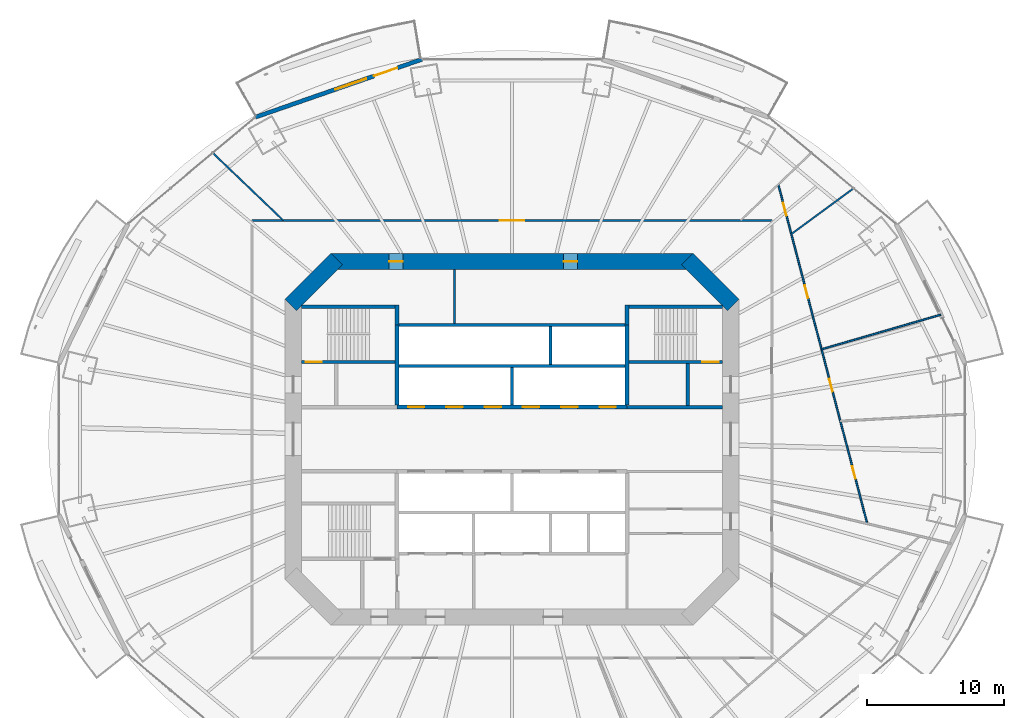
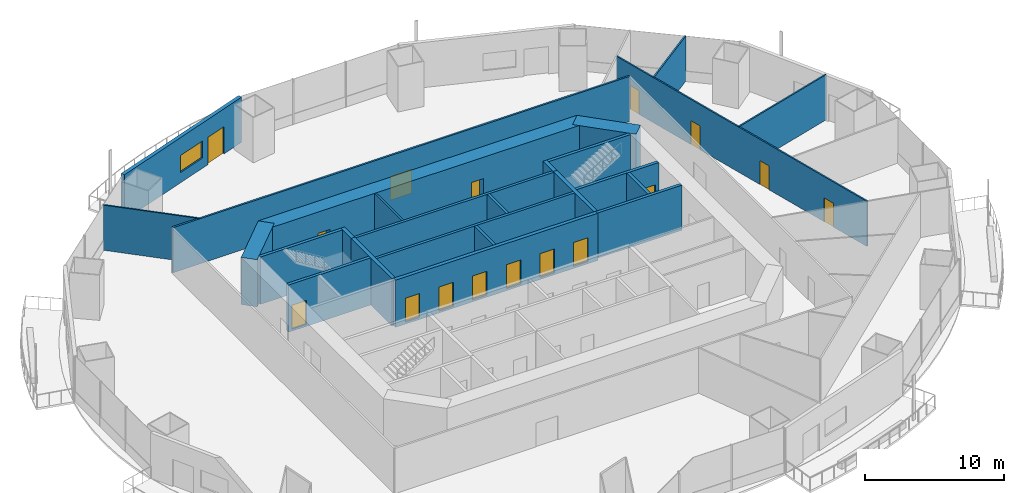
# One storey, part 15 of 21: 25 walls, 16 doors, 1 window, 17 openings.
"""IFC4 building model written with IfcOpenShell, lengths in metres."""

import ifcopenshell
import ifcopenshell.guid

model = None  # the IFC model being written
_history = None  # IfcOwnerHistory: only IFC2X3 demands one
_inside = {}  # id of a spatial element -> (the spatial element, [elements in it])
_under = {}  # id of a project, library or spatial element -> (it, [spatial elements below it])
_declared = {}  # id of a project -> (the project, [libraries it declares])
_typed = {}  # id of a type object -> (the type object, [elements of that type])
_made_of = {}  # id of a material, layer set ... -> (it, [elements and type objects made of it])


def new_model(schema):
    """Start an empty IFC model of exactly this schema.

    Asked for "IFC4X3", IfcOpenShell would pick the latest addendum, in which some entities
    have other attributes; the version numbers below select the first issue.
    IFC2X3 requires an IfcOwnerHistory on every rooted entity: one is made here for all.
    """
    global model, _history
    if schema == "IFC4X3":
        model = ifcopenshell.file(schema_version=(4, 3, 0, 0))
    else:
        model = ifcopenshell.file(schema=schema)
    _inside.clear()
    _under.clear()
    _declared.clear()
    _typed.clear()
    _made_of.clear()
    _history = None
    if model.schema == "IFC2X3":
        org = make("IfcOrganization", Name="unknown")
        user = make(
            "IfcPersonAndOrganization",
            ThePerson=make("IfcPerson", FamilyName="unknown"),
            TheOrganization=org,
        )
        app = make(
            "IfcApplication",
            ApplicationDeveloper=org,
            Version="unknown",
            ApplicationFullName="unknown",
            ApplicationIdentifier="unknown",
        )
        _history = make(
            "IfcOwnerHistory",
            OwningUser=user,
            OwningApplication=app,
            ChangeAction="ADDED",
            CreationDate=0,
        )
    return model


def make(cls, **values):
    """One entity of the class cls with the attributes given. An attribute that is None is left unset."""
    return model.create_entity(
        cls, **{name: value for name, value in values.items() if value is not None}
    )


def rooted(cls, **values):
    """An entity with a GlobalId (a new one), such as an element, a storey or a relation."""
    return make(cls, GlobalId=ifcopenshell.guid.new(), OwnerHistory=_history, **values)


def si_unit(unit_type, name, prefix=None):
    """IfcSIUnit, for example si_unit("LENGTHUNIT", "METRE", prefix="MILLI")."""
    return make("IfcSIUnit", UnitType=unit_type, Prefix=prefix, Name=name)


def assignment(units):
    """IfcUnitAssignment: the units of a project."""
    return None if units is None else make("IfcUnitAssignment", Units=units)


def point(xyz):
    """IfcCartesianPoint."""
    return None if xyz is None else make("IfcCartesianPoint", Coordinates=xyz)


def direction(xyz):
    """IfcDirection."""
    return None if xyz is None else make("IfcDirection", DirectionRatios=xyz)


def frame(location, z_axis=None, x_axis=None):
    """IfcAxis2Placement3D, a coordinate frame: its origin and axes. An axis left out is left unset."""
    return make(
        "IfcAxis2Placement3D",
        Location=point(location),
        Axis=direction(z_axis),
        RefDirection=direction(x_axis),
    )


def frame_2d(location, x_axis=None):
    """IfcAxis2Placement2D, a coordinate frame in the plane: its origin and x axis."""
    return make(
        "IfcAxis2Placement2D", Location=point(location), RefDirection=direction(x_axis)
    )


def origin():
    """The frame at (0, 0, 0) with its axes left unset."""
    return frame((0.0, 0.0, 0.0))


def place(relative_to, where):
    """IfcLocalPlacement: puts the frame where relative to a parent placement (None: the world)."""
    return make(
        "IfcLocalPlacement", PlacementRelTo=relative_to, RelativePlacement=where
    )


def context(
    kind, dimensions, precision=None, world=None, true_north=None, identifier=None
):
    """IfcGeometricRepresentationContext, for example the 3D "Model" context."""
    return make(
        "IfcGeometricRepresentationContext",
        ContextIdentifier=identifier,
        ContextType=kind,
        CoordinateSpaceDimension=dimensions,
        Precision=precision,
        WorldCoordinateSystem=world,
        TrueNorth=true_north,
    )


def subcontext(parent, identifier, kind, view, scale=None):
    """IfcGeometricRepresentationSubContext, for example "Body" below "Model"."""
    return make(
        "IfcGeometricRepresentationSubContext",
        ContextIdentifier=identifier,
        ContextType=kind,
        ParentContext=parent,
        TargetScale=scale,
        TargetView=view,
    )


def project(units=None, contexts=None):
    """IfcProject with its units and contexts."""
    return rooted(
        "IfcProject",
        Name="project",
        RepresentationContexts=contexts,
        UnitsInContext=assignment(units),
    )


def spatial(cls, under=None, at=None, **own):
    """A site, building, storey or space (cls), placed at a placement, below another one or the project."""
    s = rooted(cls, ObjectPlacement=at, **own)
    if under is not None:
        _under.setdefault(under.id(), (under, []))[1].append(s)
    return s


def profile(cls, at=None, kind="AREA", **sizes):
    """A parametric profile (cls). Its sizes go by their IFC names, for example OverallWidth=200.0."""
    return make(cls, ProfileType=kind, Position=at, **sizes)


def rectangle(**sizes):
    """IfcRectangleProfileDef."""
    return profile("IfcRectangleProfileDef", **sizes)


def extrude(swept, where, along, depth):
    """IfcExtrudedAreaSolid: the profile swept, set in the frame where, extruded along a direction by depth."""
    return make(
        "IfcExtrudedAreaSolid",
        SweptArea=swept,
        Position=where,
        ExtrudedDirection=direction(along),
        Depth=depth,
    )


def shape(context_of_items, identifier, shape_type, items):
    """IfcShapeRepresentation: the items that make up one representation, for example the "Body"."""
    return make(
        "IfcShapeRepresentation",
        ContextOfItems=context_of_items,
        RepresentationIdentifier=identifier,
        RepresentationType=shape_type,
        Items=items,
    )


def material(Name=None, Category=None):
    """IfcMaterial."""
    return make("IfcMaterial", Name=Name, Category=Category)


def layer(
    of_material, thickness, ventilated=None, Name=None, Category=None, Priority=None
):
    """IfcMaterialLayer: one layer of a wall or slab, of a material (None: an air gap)."""
    return make(
        "IfcMaterialLayer",
        Material=of_material,
        LayerThickness=thickness,
        IsVentilated=ventilated,
        Name=Name,
        Category=Category,
        Priority=Priority,
    )


def layer_set(layers, Name=None):
    """IfcMaterialLayerSet."""
    return make("IfcMaterialLayerSet", MaterialLayers=layers, LayerSetName=Name)


def made_of(thing, what):
    """Note that an element or type object is made of a material, layer set ...; save() writes the relation."""
    if what is not None:
        _made_of.setdefault(what.id(), (what, []))[1].append(thing)
    return thing


def type_object(cls, material=None, **own):
    """A type object (cls), such as IfcWallType, which elements share."""
    return made_of(rooted(cls, **own), material)


def element(
    cls,
    number,
    at=None,
    inside=None,
    cuts=None,
    type_object=None,
    material=None,
    context=None,
    identifier="Body",
    shape_type=None,
    held_by="IfcProductDefinitionShape",
    body=None,
    shapes=None,
    **own,
):
    """One element of the class cls, such as IfcWall. Its Tag is "e" and its number.

    at: its placement. inside: the storey or other place that contains it. cuts: it is an
    opening in that element (IfcRelVoidsElement). A single representation is given by context,
    identifier, shape_type and body (its items); several are given by shapes. held_by: the class
    of the entity that holds the representations. save() writes the other relations.
    """
    e = rooted(cls, Tag="e%d" % number, ObjectPlacement=at, **own)
    if body is not None:
        shapes = [shape(context, identifier, shape_type, body)]
    if shapes is not None:
        e.Representation = make(held_by, Representations=shapes)
    if inside is not None:
        _inside.setdefault(inside.id(), (inside, []))[1].append(e)
    if cuts is not None:
        rooted(
            "IfcRelVoidsElement", RelatingBuildingElement=cuts, RelatedOpeningElement=e
        )
    if type_object is not None:
        _typed.setdefault(type_object.id(), (type_object, []))[1].append(e)
    return made_of(e, material)


def fill(opening, filler):
    """IfcRelFillsElement: the door or window that sits in an opening."""
    return rooted(
        "IfcRelFillsElement",
        RelatingOpeningElement=opening,
        RelatedBuildingElement=filler,
    )


def aggregate(whole, parts):
    """IfcRelAggregates: a whole, such as a stair, and the parts it consists of."""
    return rooted("IfcRelAggregates", RelatingObject=whole, RelatedObjects=parts)


def save(model, path):
    """Write the relations noted so far, then the file.

    IfcRelAggregates (storeys below a building ...), IfcRelContainedInSpatialStructure (elements
    in a storey), IfcRelDefinesByType, IfcRelAssociatesMaterial and IfcRelDeclares: one each for
    every whole, place, type object, material and project.
    """
    for whole, parts in _under.values():
        aggregate(whole, parts)
    for where, things in _inside.values():
        rooted(
            "IfcRelContainedInSpatialStructure",
            RelatedElements=things,
            RelatingStructure=where,
        )
    for kind, things in _typed.values():
        rooted("IfcRelDefinesByType", RelatedObjects=things, RelatingType=kind)
    for what, things in _made_of.values():
        rooted("IfcRelAssociatesMaterial", RelatedObjects=things, RelatingMaterial=what)
    for by, libraries in _declared.values():
        rooted("IfcRelDeclares", RelatingContext=by, RelatedDefinitions=libraries)
    model.write(path)


model = new_model("IFC4")

# Units and contexts
model_context = context("Model", 3, precision=1e-05, world=origin(), true_north=direction((0.0, 1.0)))
body_context = subcontext(model_context, "Body", "Model", "MODEL_VIEW")
ifc_project = project(units=[si_unit("LENGTHUNIT", "METRE"), si_unit("AREAUNIT", "SQUARE_METRE"), si_unit("VOLUMEUNIT", "CUBIC_METRE"), si_unit("PLANEANGLEUNIT", "RADIAN"), si_unit("MASSUNIT", "GRAM", prefix="KILO")], contexts=[model_context])

# Site, building, storey
site_placement = place(None, origin())
site = spatial("IfcSite", under=ifc_project, at=site_placement, CompositionType="ELEMENT")
building_placement = place(site_placement, origin())
building = spatial("IfcBuilding", under=site, at=building_placement, Name="Marenthal Gate Tower", CompositionType="ELEMENT")
storey_placement = place(building_placement, frame((0.0, 0.0, 128.449951171875)))
storey = spatial("IfcBuildingStorey", under=building, at=storey_placement, Name="L27", CompositionType="ELEMENT", Elevation=128.449951171875)

# Wall
ifc_material_1 = material(Name="Concrete 60 MPa", Category="concrete")
ifc_layer_1 = layer(ifc_material_1, 1.199951171875)
ifc_layer_set_1 = layer_set([ifc_layer_1], Name="Core shear wall 1200")
wall_type_1 = type_object("IfcWallType", Name="Core shear wall 1200", PredefinedType="SHEAR", material=ifc_layer_set_1)
wall_1_placement = place(storey_placement, frame((16.17578125, 9.82421875, -0.179931640625), z_axis=(0.0, 0.0, 1.0), x_axis=(-0.707106781187, 0.707106781187, 0.0)))
element("IfcWall", 1, at=wall_1_placement, inside=storey, type_object=wall_type_1, Name="Core wall 03", PredefinedType="SHEAR", context=body_context, shape_type="SweptSolid", body=[
    extrude(rectangle(XDim=4.73974609375, YDim=1.199951171875, at=frame_2d((2.369873046875, 0.0))), origin(), (0.0, 0.0, 1.0), 4.14990234375),
])

# Wall, openings, doors
wall_2_placement = place(storey_placement, frame((13.24853515625, 13.0, -0.179931640625), z_axis=(0.0, 0.0, 1.0), x_axis=(-1.0, 0.0, 0.0)))
wall_2 = element("IfcWall", 2, at=wall_2_placement, inside=storey, type_object=wall_type_1, Name="Core wall 04", PredefinedType="SHEAR", context=body_context, shape_type="SweptSolid", body=[
    extrude(rectangle(XDim=26.4970703125, YDim=1.199951171875, at=frame_2d((13.24853515625, 0.0))), origin(), (0.0, 0.0, 1.0), 4.14990234375),
])
opening_1_placement = place(wall_2_placement, frame((21.224609375, 0.0, 0.179931640625)))
opening_1 = element("IfcOpeningElement", 3, at=opening_1_placement, cuts=wall_2, Name="Opening D005.01", PredefinedType="OPENING", context=body_context, shape_type="SweptSolid", body=[
    extrude(rectangle(XDim=1.0, YDim=2.10009765625, at=frame_2d((0.5, 1.050048828125))), frame((0.0, 0.60986328125, 0.0), z_axis=(0.0, -1.0, 0.0), x_axis=(1.0, 0.0, 0.0)), (0.0, 0.0, 1.0), 1.219970703125),
])
opening_2_placement = place(wall_2_placement, frame((8.472412109375, 0.0, 0.179931640625)))
opening_2 = element("IfcOpeningElement", 4, at=opening_2_placement, cuts=wall_2, Name="Opening D005.02", PredefinedType="OPENING", context=body_context, shape_type="SweptSolid", body=[
    extrude(rectangle(XDim=1.0, YDim=2.10009765625, at=frame_2d((0.5, 1.050048828125))), frame((0.0, 0.60986328125, 0.0), z_axis=(0.0, -1.0, 0.0), x_axis=(1.0, 0.0, 0.0)), (0.0, 0.0, 1.0), 1.219970703125),
])
ifc_material_2 = material(Name="Steel fire door", Category="steel")
door_type_1 = type_object("IfcDoorType", Name="Fire door FD 45 1000 x 2100", OperationType="NOTDEFINED", PredefinedType="DOOR", material=ifc_material_2)
door_1_placement = place(opening_1_placement, origin())
door_1 = element("IfcDoor", 5, at=door_1_placement, inside=storey, type_object=door_type_1, Name="Door D005.01", OperationType="SINGLE_SWING_RIGHT", OverallHeight=2.10009765625, OverallWidth=1.0, PredefinedType="DOOR", context=body_context, shape_type="SweptSolid", body=[
    extrude(rectangle(XDim=1.0, YDim=2.10009765625, at=frame_2d((0.5, 1.050048828125))), frame((0.0, 0.02490234375, 0.0), z_axis=(0.0, -1.0, 0.0), x_axis=(1.0, 0.0, 0.0)), (0.0, 0.0, 1.0), 0.050048828125),
])
fill(opening_1, door_1)
door_2_placement = place(opening_2_placement, origin())
door_2 = element("IfcDoor", 6, at=door_2_placement, inside=storey, type_object=door_type_1, Name="Door D005.02", OperationType="SINGLE_SWING_RIGHT", OverallHeight=2.10009765625, OverallWidth=1.0, PredefinedType="DOOR", context=body_context, shape_type="SweptSolid", body=[
    extrude(rectangle(XDim=1.0, YDim=2.10009765625, at=frame_2d((0.5, 1.050048828125))), frame((0.0, 0.02490234375, 0.0), z_axis=(0.0, -1.0, 0.0), x_axis=(1.0, 0.0, 0.0)), (0.0, 0.0, 1.0), 0.050048828125),
])
fill(opening_2, door_2)

# Wall
wall_3_placement = place(storey_placement, frame((-12.82421875, 13.17578125, -0.179931640625), z_axis=(0.0, 0.0, 1.0), x_axis=(-0.707106781187, -0.707106781187, 0.0)))
element("IfcWall", 7, at=wall_3_placement, inside=storey, type_object=wall_type_1, Name="Core wall 05", PredefinedType="SHEAR", context=body_context, shape_type="SweptSolid", body=[
    extrude(rectangle(XDim=4.73974609375, YDim=1.199951171875, at=frame_2d((2.369873046875, 0.0))), origin(), (0.0, 0.0, 1.0), 4.14990234375),
])

# Wall, openings, doors
ifc_material_3 = material(Name="Concrete 50 MPa", Category="concrete")
ifc_layer_2 = layer(ifc_material_3, 0.300048828125)
ifc_layer_set_2 = layer_set([ifc_layer_2], Name="Hoistway shear wall 300")
wall_type_2 = type_object("IfcWallType", Name="Hoistway shear wall 300", PredefinedType="SHEAR", material=ifc_layer_set_2)
wall_4_placement = place(storey_placement, frame((-8.39990234375, 2.35009765625, -0.179931640625), z_axis=(0.0, 0.0, 1.0), x_axis=(1.0, 0.0, 0.0)))
wall_4 = element("IfcWall", 8, at=wall_4_placement, inside=storey, type_object=wall_type_2, Name="Hoistway wall 20", PredefinedType="SHEAR", context=body_context, shape_type="SweptSolid", body=[
    extrude(rectangle(XDim=16.7998046875, YDim=0.300048828125, at=frame_2d((8.39990234375, 0.0))), origin(), (0.0, 0.0, 1.0), 4.14990234375),
])
opening_3_placement = place(wall_4_placement, frame((0.800048828125, 0.0, 0.179931640625)))
opening_3 = element("IfcOpeningElement", 9, at=opening_3_placement, cuts=wall_4, Name="Opening LD-LP1", PredefinedType="OPENING", context=body_context, shape_type="SweptSolid", body=[
    extrude(rectangle(XDim=1.199951171875, YDim=2.10009765625, at=frame_2d((0.60009765625, 1.050048828125))), frame((0.0, 0.16015625, 0.0), z_axis=(0.0, -1.0, 0.0), x_axis=(1.0, 0.0, 0.0)), (0.0, 0.0, 1.0), 0.320068359375),
])
opening_4_placement = place(wall_4_placement, frame((3.60009765625, 0.0, 0.179931640625)))
opening_4 = element("IfcOpeningElement", 10, at=opening_4_placement, cuts=wall_4, Name="Opening LD-LP2", PredefinedType="OPENING", context=body_context, shape_type="SweptSolid", body=[
    extrude(rectangle(XDim=1.199951171875, YDim=2.10009765625, at=frame_2d((0.60009765625, 1.050048828125))), frame((0.0, 0.16015625, 0.0), z_axis=(0.0, -1.0, 0.0), x_axis=(1.0, 0.0, 0.0)), (0.0, 0.0, 1.0), 0.320068359375),
])
opening_5_placement = place(wall_4_placement, frame((6.39990234375, 0.0, 0.179931640625)))
opening_5 = element("IfcOpeningElement", 11, at=opening_5_placement, cuts=wall_4, Name="Opening LD-LP3", PredefinedType="OPENING", context=body_context, shape_type="SweptSolid", body=[
    extrude(rectangle(XDim=1.199951171875, YDim=2.10009765625, at=frame_2d((0.60009765625, 1.050048828125))), frame((0.0, 0.16015625, 0.0), z_axis=(0.0, -1.0, 0.0), x_axis=(1.0, 0.0, 0.0)), (0.0, 0.0, 1.0), 0.320068359375),
])
opening_6_placement = place(wall_4_placement, frame((9.199951171875, 0.0, 0.179931640625)))
opening_6 = element("IfcOpeningElement", 12, at=opening_6_placement, cuts=wall_4, Name="Opening LD-LP4", PredefinedType="OPENING", context=body_context, shape_type="SweptSolid", body=[
    extrude(rectangle(XDim=1.199951171875, YDim=2.10009765625, at=frame_2d((0.60009765625, 1.050048828125))), frame((0.0, 0.16015625, 0.0), z_axis=(0.0, -1.0, 0.0), x_axis=(1.0, 0.0, 0.0)), (0.0, 0.0, 1.0), 0.320068359375),
])
opening_7_placement = place(wall_4_placement, frame((12.0, 0.0, 0.179931640625)))
opening_7 = element("IfcOpeningElement", 13, at=opening_7_placement, cuts=wall_4, Name="Opening LD-LP5", PredefinedType="OPENING", context=body_context, shape_type="SweptSolid", body=[
    extrude(rectangle(XDim=1.199951171875, YDim=2.10009765625, at=frame_2d((0.60009765625, 1.050048828125))), frame((0.0, 0.16015625, 0.0), z_axis=(0.0, -1.0, 0.0), x_axis=(1.0, 0.0, 0.0)), (0.0, 0.0, 1.0), 0.320068359375),
])
opening_8_placement = place(wall_4_placement, frame((14.800048828125, 0.0, 0.179931640625)))
opening_8 = element("IfcOpeningElement", 14, at=opening_8_placement, cuts=wall_4, Name="Opening LD-LP6", PredefinedType="OPENING", context=body_context, shape_type="SweptSolid", body=[
    extrude(rectangle(XDim=1.199951171875, YDim=2.10009765625, at=frame_2d((0.60009765625, 1.050048828125))), frame((0.0, 0.16015625, 0.0), z_axis=(0.0, -1.0, 0.0), x_axis=(1.0, 0.0, 0.0)), (0.0, 0.0, 1.0), 0.320068359375),
])
ifc_material_4 = material(Name="Stainless steel sliding door", Category="steel")
door_type_2 = type_object("IfcDoorType", Name="Lift landing door FD 90 1200 x 2100", OperationType="DOUBLE_DOOR_SLIDING", PredefinedType="DOOR", material=ifc_material_4)
door_3_placement = place(opening_3_placement, origin())
door_3 = element("IfcDoor", 15, at=door_3_placement, inside=storey, type_object=door_type_2, Name="Lift landing door LP1", OperationType="DOUBLE_DOOR_SLIDING", OverallHeight=2.10009765625, OverallWidth=1.199951171875, PredefinedType="DOOR", context=body_context, shape_type="SweptSolid", body=[
    extrude(rectangle(XDim=1.199951171875, YDim=2.10009765625, at=frame_2d((0.60009765625, 1.050048828125))), frame((0.0, 0.02490234375, 0.0), z_axis=(0.0, -1.0, 0.0), x_axis=(1.0, 0.0, 0.0)), (0.0, 0.0, 1.0), 0.050048828125),
])
fill(opening_3, door_3)
door_4_placement = place(opening_4_placement, origin())
door_4 = element("IfcDoor", 16, at=door_4_placement, inside=storey, type_object=door_type_2, Name="Lift landing door LP2", OperationType="DOUBLE_DOOR_SLIDING", OverallHeight=2.10009765625, OverallWidth=1.199951171875, PredefinedType="DOOR", context=body_context, shape_type="SweptSolid", body=[
    extrude(rectangle(XDim=1.199951171875, YDim=2.10009765625, at=frame_2d((0.60009765625, 1.050048828125))), frame((0.0, 0.02490234375, 0.0), z_axis=(0.0, -1.0, 0.0), x_axis=(1.0, 0.0, 0.0)), (0.0, 0.0, 1.0), 0.050048828125),
])
fill(opening_4, door_4)
door_5_placement = place(opening_5_placement, origin())
door_5 = element("IfcDoor", 17, at=door_5_placement, inside=storey, type_object=door_type_2, Name="Lift landing door LP3", OperationType="DOUBLE_DOOR_SLIDING", OverallHeight=2.10009765625, OverallWidth=1.199951171875, PredefinedType="DOOR", context=body_context, shape_type="SweptSolid", body=[
    extrude(rectangle(XDim=1.199951171875, YDim=2.10009765625, at=frame_2d((0.60009765625, 1.050048828125))), frame((0.0, 0.02490234375, 0.0), z_axis=(0.0, -1.0, 0.0), x_axis=(1.0, 0.0, 0.0)), (0.0, 0.0, 1.0), 0.050048828125),
])
fill(opening_5, door_5)
door_6_placement = place(opening_6_placement, origin())
door_6 = element("IfcDoor", 18, at=door_6_placement, inside=storey, type_object=door_type_2, Name="Lift landing door LP4", OperationType="DOUBLE_DOOR_SLIDING", OverallHeight=2.10009765625, OverallWidth=1.199951171875, PredefinedType="DOOR", context=body_context, shape_type="SweptSolid", body=[
    extrude(rectangle(XDim=1.199951171875, YDim=2.10009765625, at=frame_2d((0.60009765625, 1.050048828125))), frame((0.0, 0.02490234375, 0.0), z_axis=(0.0, -1.0, 0.0), x_axis=(1.0, 0.0, 0.0)), (0.0, 0.0, 1.0), 0.050048828125),
])
fill(opening_6, door_6)
door_7_placement = place(opening_7_placement, origin())
door_7 = element("IfcDoor", 19, at=door_7_placement, inside=storey, type_object=door_type_2, Name="Lift landing door LP5", OperationType="DOUBLE_DOOR_SLIDING", OverallHeight=2.10009765625, OverallWidth=1.199951171875, PredefinedType="DOOR", context=body_context, shape_type="SweptSolid", body=[
    extrude(rectangle(XDim=1.199951171875, YDim=2.10009765625, at=frame_2d((0.60009765625, 1.050048828125))), frame((0.0, 0.02490234375, 0.0), z_axis=(0.0, -1.0, 0.0), x_axis=(1.0, 0.0, 0.0)), (0.0, 0.0, 1.0), 0.050048828125),
])
fill(opening_7, door_7)
door_8_placement = place(opening_8_placement, origin())
door_8 = element("IfcDoor", 20, at=door_8_placement, inside=storey, type_object=door_type_2, Name="Lift landing door LP6", OperationType="DOUBLE_DOOR_SLIDING", OverallHeight=2.10009765625, OverallWidth=1.199951171875, PredefinedType="DOOR", context=body_context, shape_type="SweptSolid", body=[
    extrude(rectangle(XDim=1.199951171875, YDim=2.10009765625, at=frame_2d((0.60009765625, 1.050048828125))), frame((0.0, 0.02490234375, 0.0), z_axis=(0.0, -1.0, 0.0), x_axis=(1.0, 0.0, 0.0)), (0.0, 0.0, 1.0), 0.050048828125),
])
fill(opening_8, door_8)

# Walls
for number, where, z_axis, x_axis, name in (
    (21, (-8.39990234375, 2.5, -0.179931640625), (0.0, 0.0, 1.0), (0.0, 1.0, 0.0), "Hoistway wall 32"),
    (22, (8.39990234375, 2.5, -0.179931640625), (0.0, 0.0, 1.0), (0.0, 1.0, 0.0), "Hoistway wall 44"),
):
    element("IfcWall", number, at=place(storey_placement, frame(where, z_axis=z_axis, x_axis=x_axis)), inside=storey, type_object=wall_type_2, Name=name, PredefinedType="SHEAR", context=body_context, shape_type="SweptSolid", body=[
        extrude(rectangle(XDim=5.85009765625, YDim=0.300048828125, at=frame_2d((2.925048828125, 0.0))), origin(), (0.0, 0.0, 1.0), 4.14990234375),
    ])
ifc_material_5 = material(Name="Concrete 40 MPa", Category="concrete")
ifc_layer_3 = layer(ifc_material_5, 0.219970703125)
ifc_layer_set_3 = layer_set([ifc_layer_3], Name="Hoistway wall 220")
wall_type_3 = type_object("IfcWallType", Name="Hoistway wall 220", PredefinedType="STANDARD", material=ifc_layer_set_3)
for number, where, z_axis, x_axis, name in (
    (23, (-8.25, 5.35009765625, 0.0), (0.0, 0.0, 1.0), (1.0, 0.0, 0.0), "Hoistway wall 22"),
    (24, (-8.25, 8.35009765625, 0.0), (0.0, 0.0, 1.0), (1.0, 0.0, 0.0), "Hoistway wall 25"),
):
    element("IfcWall", number, at=place(storey_placement, frame(where, z_axis=z_axis, x_axis=x_axis)), inside=storey, type_object=wall_type_3, Name=name, PredefinedType="STANDARD", context=body_context, shape_type="SweptSolid", body=[
        extrude(rectangle(XDim=16.5, YDim=0.219970703125, at=frame_2d((8.25, 0.0))), origin(), (0.0, 0.0, 1.0), 3.969970703125),
    ])
wall_5_placement = place(storey_placement, frame((0.0, 2.5, 0.0), z_axis=(0.0, 0.0, 1.0), x_axis=(0.0, 1.0, 0.0)))
element("IfcWall", 25, at=wall_5_placement, inside=storey, type_object=wall_type_3, Name="Hoistway wall 38", PredefinedType="STANDARD", context=body_context, shape_type="SweptSolid", body=[
    extrude(rectangle(XDim=2.739990234375, YDim=0.219970703125, at=frame_2d((1.3701171875, 0.0))), origin(), (0.0, 0.0, 1.0), 3.969970703125),
])
wall_6_placement = place(storey_placement, frame((2.800048828125, 5.4599609375, 0.0), z_axis=(0.0, 0.0, 1.0), x_axis=(0.0, 1.0, 0.0)))
element("IfcWall", 26, at=wall_6_placement, inside=storey, type_object=wall_type_3, Name="Hoistway wall 40", PredefinedType="STANDARD", context=body_context, shape_type="SweptSolid", body=[
    extrude(rectangle(XDim=2.780029296875, YDim=0.219970703125, at=frame_2d((1.39013671875, 0.0))), origin(), (0.0, 0.0, 1.0), 3.969970703125),
])
ifc_material_6 = material(Name="Gypsum board on steel studs", Category="steel")
ifc_layer_4 = layer(ifc_material_6, 0.1201171875)
ifc_layer_set_4 = layer_set([ifc_layer_4], Name="Partition 120")
wall_type_4 = type_object("IfcWallType", Name="Partition 120", PredefinedType="PARTITIONING", material=ifc_layer_set_4)
wall_7_placement = place(storey_placement, frame((-16.722900390625, 16.0, 0.0), z_axis=(0.0, 0.0, 1.0), x_axis=(-0.722571333341, 0.691296367872, 0.0)))
element("IfcWall", 27, at=wall_7_placement, inside=storey, type_object=wall_type_4, Name="Partition wall 49", PredefinedType="PARTITIONING", context=body_context, shape_type="SweptSolid", body=[
    extrude(rectangle(XDim=7.142822265625, YDim=0.1201171875, at=frame_2d((3.5712890625, 0.0))), origin(), (0.0, 0.0, 1.0), 3.969970703125),
])
wall_8_placement = place(storey_placement, frame((24.975830078125, 18.345947265625, 0.0), z_axis=(0.0, 0.0, 1.0), x_axis=(-0.805952536967, -0.591980158583, 0.0)))
element("IfcWall", 28, at=wall_8_placement, inside=storey, type_object=wall_type_4, Name="Partition wall 59", PredefinedType="PARTITIONING", context=body_context, shape_type="SweptSolid", body=[
    extrude(rectangle(XDim=5.646728515625, YDim=0.1201171875, at=frame_2d((2.8232421875, 0.0))), origin(), (0.0, 0.0, 1.0), 3.969970703125),
])

# Wall, openings, doors
wall_9_placement = place(storey_placement, frame((25.97900390625, -6.173095703125, 0.0), z_axis=(0.0, 0.0, 1.0), x_axis=(-0.253695602942, 0.967284105652, 0.0)))
wall_9 = element("IfcWall", 29, at=wall_9_placement, inside=storey, type_object=wall_type_4, Name="Partition wall 61", PredefinedType="PARTITIONING", context=body_context, shape_type="SweptSolid", body=[
    extrude(rectangle(XDim=25.643310546875, YDim=0.1201171875, at=frame_2d((12.82177734375, 0.0))), origin(), (0.0, 0.0, 1.0), 3.969970703125),
])
opening_9_placement = place(wall_9_placement, frame((3.402099609375, 0.0, 0.0)))
opening_9 = element("IfcOpeningElement", 30, at=opening_9_placement, cuts=wall_9, Name="Opening D016.06", PredefinedType="OPENING", context=body_context, shape_type="SweptSolid", body=[
    extrude(rectangle(XDim=0.949951171875, YDim=2.10009765625, at=frame_2d((0.47509765625, 1.050048828125))), frame((0.0, 0.070068359375, 0.0), z_axis=(0.0, -1.0, 0.0), x_axis=(1.0, 0.0, 0.0)), (0.0, 0.0, 1.0), 0.14013671875),
])
opening_10_placement = place(wall_9_placement, frame((9.991943359375, 0.0, 0.0)))
opening_10 = element("IfcOpeningElement", 31, at=opening_10_placement, cuts=wall_9, Name="Opening D016.07", PredefinedType="OPENING", context=body_context, shape_type="SweptSolid", body=[
    extrude(rectangle(XDim=0.949951171875, YDim=2.10009765625, at=frame_2d((0.47509765625, 1.050048828125))), frame((0.0, 0.070068359375, 0.0), z_axis=(0.0, -1.0, 0.0), x_axis=(1.0, 0.0, 0.0)), (0.0, 0.0, 1.0), 0.14013671875),
])
opening_11_placement = place(wall_9_placement, frame((17.06103515625, 0.0, 0.0)))
opening_11 = element("IfcOpeningElement", 32, at=opening_11_placement, cuts=wall_9, Name="Opening D016.08", PredefinedType="OPENING", context=body_context, shape_type="SweptSolid", body=[
    extrude(rectangle(XDim=0.949951171875, YDim=2.10009765625, at=frame_2d((0.47509765625, 1.050048828125))), frame((0.0, 0.070068359375, 0.0), z_axis=(0.0, -1.0, 0.0), x_axis=(1.0, 0.0, 0.0)), (0.0, 0.0, 1.0), 0.14013671875),
])
opening_12_placement = place(wall_9_placement, frame((23.29296875, 0.0, 0.0)))
opening_12 = element("IfcOpeningElement", 33, at=opening_12_placement, cuts=wall_9, Name="Opening D016.09", PredefinedType="OPENING", context=body_context, shape_type="SweptSolid", body=[
    extrude(rectangle(XDim=0.949951171875, YDim=2.10009765625, at=frame_2d((0.47509765625, 1.050048828125))), frame((0.0, 0.070068359375, 0.0), z_axis=(0.0, -1.0, 0.0), x_axis=(1.0, 0.0, 0.0)), (0.0, 0.0, 1.0), 0.14013671875),
])
ifc_material_7 = material(Name="Timber door", Category="wood")
door_type_3 = type_object("IfcDoorType", Name="Door 950 x 2100", OperationType="NOTDEFINED", PredefinedType="DOOR", material=ifc_material_7)
door_9_placement = place(opening_9_placement, frame((0.949951171875, 0.0, 0.0), z_axis=(0.0, 0.0, 1.0), x_axis=(-1.0, 0.0, 0.0)))
door_9 = element("IfcDoor", 34, at=door_9_placement, inside=storey, type_object=door_type_3, Name="Door D016.06", OperationType="SINGLE_SWING_LEFT", OverallHeight=2.10009765625, OverallWidth=0.949951171875, PredefinedType="DOOR", context=body_context, shape_type="SweptSolid", body=[
    extrude(rectangle(XDim=0.949951171875, YDim=2.10009765625, at=frame_2d((0.47509765625, 1.050048828125))), frame((0.0, 0.02490234375, 0.0), z_axis=(0.0, -1.0, 0.0), x_axis=(1.0, 0.0, 0.0)), (0.0, 0.0, 1.0), 0.050048828125),
])
fill(opening_9, door_9)
door_10_placement = place(opening_10_placement, frame((0.949951171875, 0.0, 0.0), z_axis=(0.0, 0.0, 1.0), x_axis=(-1.0, 0.0, 0.0)))
door_10 = element("IfcDoor", 35, at=door_10_placement, inside=storey, type_object=door_type_3, Name="Door D016.07", OperationType="SINGLE_SWING_LEFT", OverallHeight=2.10009765625, OverallWidth=0.949951171875, PredefinedType="DOOR", context=body_context, shape_type="SweptSolid", body=[
    extrude(rectangle(XDim=0.949951171875, YDim=2.10009765625, at=frame_2d((0.47509765625, 1.050048828125))), frame((0.0, 0.02490234375, 0.0), z_axis=(0.0, -1.0, 0.0), x_axis=(1.0, 0.0, 0.0)), (0.0, 0.0, 1.0), 0.050048828125),
])
fill(opening_10, door_10)
door_11_placement = place(opening_11_placement, frame((0.949951171875, 0.0, 0.0), z_axis=(0.0, 0.0, 1.0), x_axis=(-1.0, 0.0, 0.0)))
door_11 = element("IfcDoor", 36, at=door_11_placement, inside=storey, type_object=door_type_3, Name="Door D016.08", OperationType="SINGLE_SWING_LEFT", OverallHeight=2.10009765625, OverallWidth=0.949951171875, PredefinedType="DOOR", context=body_context, shape_type="SweptSolid", body=[
    extrude(rectangle(XDim=0.949951171875, YDim=2.10009765625, at=frame_2d((0.47509765625, 1.050048828125))), frame((0.0, 0.02490234375, 0.0), z_axis=(0.0, -1.0, 0.0), x_axis=(1.0, 0.0, 0.0)), (0.0, 0.0, 1.0), 0.050048828125),
])
fill(opening_11, door_11)
door_12_placement = place(opening_12_placement, frame((0.949951171875, 0.0, 0.0), z_axis=(0.0, 0.0, 1.0), x_axis=(-1.0, 0.0, 0.0)))
door_12 = element("IfcDoor", 37, at=door_12_placement, inside=storey, type_object=door_type_3, Name="Door D016.09", OperationType="SINGLE_SWING_LEFT", OverallHeight=2.10009765625, OverallWidth=0.949951171875, PredefinedType="DOOR", context=body_context, shape_type="SweptSolid", body=[
    extrude(rectangle(XDim=0.949951171875, YDim=2.10009765625, at=frame_2d((0.47509765625, 1.050048828125))), frame((0.0, 0.02490234375, 0.0), z_axis=(0.0, -1.0, 0.0), x_axis=(1.0, 0.0, 0.0)), (0.0, 0.0, 1.0), 0.050048828125),
])
fill(opening_12, door_12)

# Walls
wall_10_placement = place(storey_placement, frame((31.36279296875, 9.111572265625, 0.0), z_axis=(0.0, 0.0, 1.0), x_axis=(-0.960291915754, -0.278997198082, 0.0)))
element("IfcWall", 38, at=wall_10_placement, inside=storey, type_object=wall_type_4, Name="Partition wall 62", PredefinedType="PARTITIONING", context=body_context, shape_type="SweptSolid", body=[
    extrude(rectangle(XDim=9.08837890625, YDim=0.1201171875, at=frame_2d((4.544189453125, 0.0))), origin(), (0.0, 0.0, 1.0), 3.969970703125),
])
ifc_material_8 = material(Name="Gypsum board on steel studs", Category="steel")
ifc_layer_5 = layer(ifc_material_8, 0.14990234375)
ifc_layer_set_5 = layer_set([ifc_layer_5], Name="Partition 150")
wall_type_5 = type_object("IfcWallType", Name="Partition 150", PredefinedType="PARTITIONING", material=ifc_layer_set_5)
wall_11_placement = place(storey_placement, frame((-4.199951171875, 8.4599609375, 0.0), z_axis=(0.0, 0.0, 1.0), x_axis=(0.0, 1.0, 0.0)))
element("IfcWall", 39, at=wall_11_placement, inside=storey, type_object=wall_type_5, Name="Partition wall 34", PredefinedType="PARTITIONING", context=body_context, shape_type="SweptSolid", body=[
    extrude(rectangle(XDim=3.93994140625, YDim=0.14990234375, at=frame_2d((1.969970703125, 0.0))), origin(), (0.0, 0.0, 1.0), 3.969970703125),
])

# Wall, opening, door
wall_12_placement = place(storey_placement, frame((-19.0, 16.0, 0.0), z_axis=(0.0, 0.0, 1.0), x_axis=(1.0, 0.0, 0.0)))
wall_12 = element("IfcWall", 40, at=wall_12_placement, inside=storey, type_object=wall_type_5, Name="Partition wall 48", PredefinedType="PARTITIONING", context=body_context, shape_type="SweptSolid", body=[
    extrude(rectangle(XDim=38.0, YDim=0.14990234375, at=frame_2d((19.0, 0.0))), origin(), (0.0, 0.0, 1.0), 3.969970703125),
])
opening_13_placement = place(wall_12_placement, frame((18.10009765625, 0.0, 0.0)))
opening_13 = element("IfcOpeningElement", 41, at=opening_13_placement, cuts=wall_12, Name="Opening D014.01", PredefinedType="OPENING", context=body_context, shape_type="SweptSolid", body=[
    extrude(rectangle(XDim=1.800048828125, YDim=2.10009765625, at=frame_2d((0.89990234375, 1.050048828125))), frame((0.0, 0.0849609375, 0.0), z_axis=(0.0, -1.0, 0.0), x_axis=(1.0, 0.0, 0.0)), (0.0, 0.0, 1.0), 0.169921875),
])
ifc_material_9 = material(Name="Timber door", Category="wood")
door_type_4 = type_object("IfcDoorType", Name="Double door 1800 x 2100", OperationType="DOUBLE_DOOR_SINGLE_SWING", PredefinedType="DOOR", material=ifc_material_9)
door_13_placement = place(opening_13_placement, origin())
door_13 = element("IfcDoor", 42, at=door_13_placement, inside=storey, type_object=door_type_4, Name="Door D014.01", OperationType="DOUBLE_DOOR_SINGLE_SWING", OverallHeight=2.10009765625, OverallWidth=1.800048828125, PredefinedType="DOOR", context=body_context, shape_type="SweptSolid", body=[
    extrude(rectangle(XDim=1.800048828125, YDim=2.10009765625, at=frame_2d((0.89990234375, 1.050048828125))), frame((0.0, 0.02490234375, 0.0), z_axis=(0.0, -1.0, 0.0), x_axis=(1.0, 0.0, 0.0)), (0.0, 0.0, 1.0), 0.050048828125),
])
fill(opening_13, door_13)

# Walls
ifc_material_10 = material(Name="Concrete 40 MPa", Category="concrete")
ifc_layer_6 = layer(ifc_material_10, 0.25)
ifc_layer_set_6 = layer_set([ifc_layer_6], Name="Stair enclosure wall 250")
wall_type_6 = type_object("IfcWallType", Name="Stair enclosure wall 250", PredefinedType="STANDARD", material=ifc_layer_set_6)
wall_13_placement = place(storey_placement, frame((8.39990234375, 2.35009765625, 0.0), z_axis=(0.0, 0.0, 1.0), x_axis=(1.0, 0.0, 0.0)))
element("IfcWall", 43, at=wall_13_placement, inside=storey, type_object=wall_type_6, Name="Stair wall 21", PredefinedType="STANDARD", context=body_context, shape_type="SweptSolid", body=[
    extrude(rectangle(XDim=7.0, YDim=0.25, at=frame_2d((3.5, 0.0))), origin(), (0.0, 0.0, 1.0), 3.969970703125),
])
wall_14_placement = place(storey_placement, frame((12.85009765625, 2.47509765625, 0.0), z_axis=(0.0, 0.0, 1.0), x_axis=(0.0, 1.0, 0.0)))
element("IfcWall", 44, at=wall_14_placement, inside=storey, type_object=wall_type_6, Name="Stair wall 46", PredefinedType="STANDARD", context=body_context, shape_type="SweptSolid", body=[
    extrude(rectangle(XDim=3.0498046875, YDim=0.25, at=frame_2d((1.52490234375, 0.0))), origin(), (0.0, 0.0, 1.0), 3.969970703125),
])

# Wall, opening, door
ifc_material_11 = material(Name="Concrete 50 MPa", Category="concrete")
ifc_layer_7 = layer(ifc_material_11, 0.25)
ifc_layer_set_7 = layer_set([ifc_layer_7], Name="Stair shear wall 250")
wall_type_7 = type_object("IfcWallType", Name="Stair shear wall 250", PredefinedType="SHEAR", material=ifc_layer_set_7)
wall_15_placement = place(storey_placement, frame((-15.39990234375, 5.64990234375, -0.179931640625), z_axis=(0.0, 0.0, 1.0), x_axis=(1.0, 0.0, 0.0)))
wall_15 = element("IfcWall", 45, at=wall_15_placement, inside=storey, type_object=wall_type_7, Name="Stair wall 23", PredefinedType="SHEAR", context=body_context, shape_type="SweptSolid", body=[
    extrude(rectangle(XDim=6.849853515625, YDim=0.25, at=frame_2d((3.4248046875, 0.0))), origin(), (0.0, 0.0, 1.0), 4.14990234375),
])
opening_14_placement = place(wall_15_placement, frame((0.300048828125, 0.0, 0.179931640625)))
opening_14 = element("IfcOpeningElement", 46, at=opening_14_placement, cuts=wall_15, Name="Opening D001.01", PredefinedType="OPENING", context=body_context, shape_type="SweptSolid", body=[
    extrude(rectangle(XDim=1.199951171875, YDim=2.10009765625, at=frame_2d((0.60009765625, 1.050048828125))), frame((0.0, 0.135009765625, 0.0), z_axis=(0.0, -1.0, 0.0), x_axis=(1.0, 0.0, 0.0)), (0.0, 0.0, 1.0), 0.27001953125),
])
ifc_material_12 = material(Name="Steel fire door", Category="steel")
door_type_5 = type_object("IfcDoorType", Name="Fire door FD 90 1200 x 2100", OperationType="NOTDEFINED", PredefinedType="DOOR", material=ifc_material_12)
door_14_placement = place(opening_14_placement, origin())
door_14 = element("IfcDoor", 47, at=door_14_placement, inside=storey, type_object=door_type_5, Name="Door D001.01", OperationType="SINGLE_SWING_RIGHT", OverallHeight=2.10009765625, OverallWidth=1.199951171875, PredefinedType="DOOR", context=body_context, shape_type="SweptSolid", body=[
    extrude(rectangle(XDim=1.199951171875, YDim=2.10009765625, at=frame_2d((0.60009765625, 1.050048828125))), frame((0.0, 0.02490234375, 0.0), z_axis=(0.0, -1.0, 0.0), x_axis=(1.0, 0.0, 0.0)), (0.0, 0.0, 1.0), 0.050048828125),
])
fill(opening_14, door_14)

wall_16_placement = place(storey_placement, frame((8.550048828125, 5.64990234375, -0.179931640625), z_axis=(0.0, 0.0, 1.0), x_axis=(1.0, 0.0, 0.0)))
wall_16 = element("IfcWall", 48, at=wall_16_placement, inside=storey, type_object=wall_type_7, Name="Stair wall 24", PredefinedType="SHEAR", context=body_context, shape_type="SweptSolid", body=[
    extrude(rectangle(XDim=6.849853515625, YDim=0.25, at=frame_2d((3.4248046875, 0.0))), origin(), (0.0, 0.0, 1.0), 4.14990234375),
])
opening_15_placement = place(wall_16_placement, frame((5.35009765625, 0.0, 0.179931640625)))
opening_15 = element("IfcOpeningElement", 49, at=opening_15_placement, cuts=wall_16, Name="Opening D001.02", PredefinedType="OPENING", context=body_context, shape_type="SweptSolid", body=[
    extrude(rectangle(XDim=1.199951171875, YDim=2.10009765625, at=frame_2d((0.60009765625, 1.050048828125))), frame((0.0, 0.135009765625, 0.0), z_axis=(0.0, -1.0, 0.0), x_axis=(1.0, 0.0, 0.0)), (0.0, 0.0, 1.0), 0.27001953125),
])
door_15_placement = place(opening_15_placement, origin())
door_15 = element("IfcDoor", 50, at=door_15_placement, inside=storey, type_object=door_type_5, Name="Door D001.02", OperationType="SINGLE_SWING_RIGHT", OverallHeight=2.10009765625, OverallWidth=1.199951171875, PredefinedType="DOOR", context=body_context, shape_type="SweptSolid", body=[
    extrude(rectangle(XDim=1.199951171875, YDim=2.10009765625, at=frame_2d((0.60009765625, 1.050048828125))), frame((0.0, 0.02490234375, 0.0), z_axis=(0.0, -1.0, 0.0), x_axis=(1.0, 0.0, 0.0)), (0.0, 0.0, 1.0), 0.050048828125),
])
fill(opening_15, door_15)

# Walls
for number, where, z_axis, x_axis, name in (
    (51, (-15.39990234375, 9.699951171875, -0.179931640625), (0.0, 0.0, 1.0), (1.0, 0.0, 0.0), "Stair wall 26"),
    (52, (8.550048828125, 9.699951171875, -0.179931640625), (0.0, 0.0, 1.0), (1.0, 0.0, 0.0), "Stair wall 27"),
):
    element("IfcWall", number, at=place(storey_placement, frame(where, z_axis=z_axis, x_axis=x_axis)), inside=storey, type_object=wall_type_7, Name=name, PredefinedType="SHEAR", context=body_context, shape_type="SweptSolid", body=[
        extrude(rectangle(XDim=6.849853515625, YDim=0.25, at=frame_2d((3.4248046875, 0.0))), origin(), (0.0, 0.0, 1.0), 4.14990234375),
    ])
ifc_material_13 = material(Name="Concrete 50 MPa", Category="concrete")
ifc_layer_8 = layer(ifc_material_13, 0.300048828125)
ifc_layer_set_8 = layer_set([ifc_layer_8], Name="Stair shear wall 300")
wall_type_8 = type_object("IfcWallType", Name="Stair shear wall 300", PredefinedType="SHEAR", material=ifc_layer_set_8)
for number, where, z_axis, x_axis, name in (
    (53, (-8.39990234375, 8.35009765625, -0.179931640625), (0.0, 0.0, 1.0), (0.0, 1.0, 0.0), "Stair wall 33"),
    (54, (8.39990234375, 8.35009765625, -0.179931640625), (0.0, 0.0, 1.0), (0.0, 1.0, 0.0), "Stair wall 45"),
):
    element("IfcWall", number, at=place(storey_placement, frame(where, z_axis=z_axis, x_axis=x_axis)), inside=storey, type_object=wall_type_8, Name=name, PredefinedType="SHEAR", context=body_context, shape_type="SweptSolid", body=[
        extrude(rectangle(XDim=1.474853515625, YDim=0.300048828125, at=frame_2d((0.7373046875, 0.0))), origin(), (0.0, 0.0, 1.0), 4.14990234375),
    ])

# Wall, openings, door, window
ifc_material_14 = material(Name="Terracotta cladding on insulated concrete-block backing", Category="masonry")
ifc_layer_9 = layer(ifc_material_14, 0.300048828125)
ifc_layer_set_9 = layer_set([ifc_layer_9], Name="Terracotta facade wall 300")
wall_type_9 = type_object("IfcWallType", Name="Terracotta facade wall 300", PredefinedType="SOLIDWALL", material=ifc_layer_set_9)
wall_17_placement = place(storey_placement, frame((-6.5908203125, 27.77783203125, 0.0), z_axis=(0.0, 0.0, 1.0), x_axis=(-0.944664780262, -0.328037273694, 0.0)))
wall_17 = element("IfcWall", 55, at=wall_17_placement, inside=storey, type_object=wall_type_9, Name="Terracotta facade wall L27 bay 5", PredefinedType="SOLIDWALL", context=body_context, shape_type="SweptSolid", body=[
    extrude(rectangle(XDim=12.891845703125, YDim=0.300048828125, at=frame_2d((6.44580078125, 0.0))), origin(), (0.0, 0.0, 1.0), 3.969970703125),
])
opening_16_placement = place(wall_17_placement, frame((1.89990234375, 0.0, 0.0)))
opening_16 = element("IfcOpeningElement", 56, at=opening_16_placement, cuts=wall_17, Name="Opening BD-L27-05", PredefinedType="OPENING", context=body_context, shape_type="SweptSolid", body=[
    extrude(rectangle(XDim=1.800048828125, YDim=2.39990234375, at=frame_2d((0.89990234375, 1.199951171875))), frame((0.0, 0.16015625, 0.0), z_axis=(0.0, -1.0, 0.0), x_axis=(1.0, 0.0, 0.0)), (0.0, 0.0, 1.0), 0.320068359375),
])
opening_17_placement = place(wall_17_placement, frame((4.300048828125, 0.0, 0.89990234375)))
opening_17 = element("IfcOpeningElement", 57, at=opening_17_placement, cuts=wall_17, Name="Opening WN1-L27-05", PredefinedType="OPENING", context=body_context, shape_type="SweptSolid", body=[
    extrude(rectangle(XDim=2.39990234375, YDim=1.5, at=frame_2d((1.199951171875, 0.75))), frame((0.0, 0.16015625, 0.0), z_axis=(0.0, -1.0, 0.0), x_axis=(1.0, 0.0, 0.0)), (0.0, 0.0, 1.0), 0.320068359375),
])
ifc_material_15 = material(Name="Aluminium and glass", Category="aluminium")
door_type_6 = type_object("IfcDoorType", Name="Balcony door 1800x2400", OperationType="DOUBLE_DOOR_SINGLE_SWING", PredefinedType="DOOR", material=ifc_material_15)
door_16_placement = place(opening_16_placement, origin())
door_16 = element("IfcDoor", 58, at=door_16_placement, inside=storey, type_object=door_type_6, Name="Balcony door L27 bay 5", OperationType="SINGLE_SWING_LEFT", OverallHeight=2.39990234375, OverallWidth=1.800048828125, PredefinedType="DOOR", context=body_context, shape_type="SweptSolid", body=[
    extrude(rectangle(XDim=1.800048828125, YDim=2.39990234375, at=frame_2d((0.89990234375, 1.199951171875))), frame((0.0, 0.02490234375, 0.0), z_axis=(0.0, -1.0, 0.0), x_axis=(1.0, 0.0, 0.0)), (0.0, 0.0, 1.0), 0.050048828125),
])
fill(opening_16, door_16)
ifc_material_16 = material(Name="Aluminium and glass", Category="aluminium")
window_type = type_object("IfcWindowType", Name="Window 2400x1500", PartitioningType="TRIPLE_PANEL_VERTICAL", PredefinedType="WINDOW", material=ifc_material_16)
window_placement = place(opening_17_placement, origin())
window = element("IfcWindow", 59, at=window_placement, inside=storey, type_object=window_type, Name="Window L27 bay 5", OverallHeight=1.5, OverallWidth=2.39990234375, PartitioningType="SINGLE_PANEL", PredefinedType="WINDOW", context=body_context, shape_type="SweptSolid", body=[
    extrude(rectangle(XDim=2.39990234375, YDim=1.5, at=frame_2d((1.199951171875, 0.75))), frame((0.0, 0.030029296875, 0.0), z_axis=(0.0, -1.0, 0.0), x_axis=(1.0, 0.0, 0.0)), (0.0, 0.0, 1.0), 0.06005859375),
])
fill(opening_17, window)

save(model, "model.ifc")
